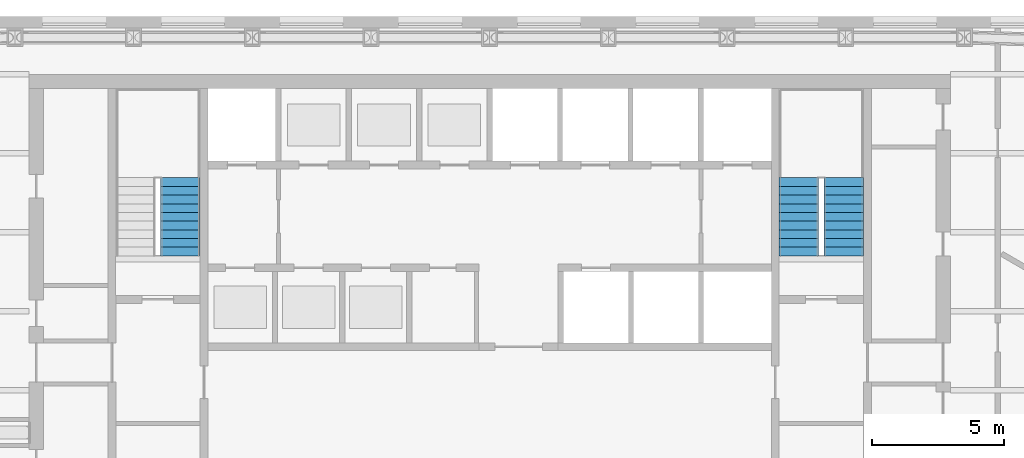
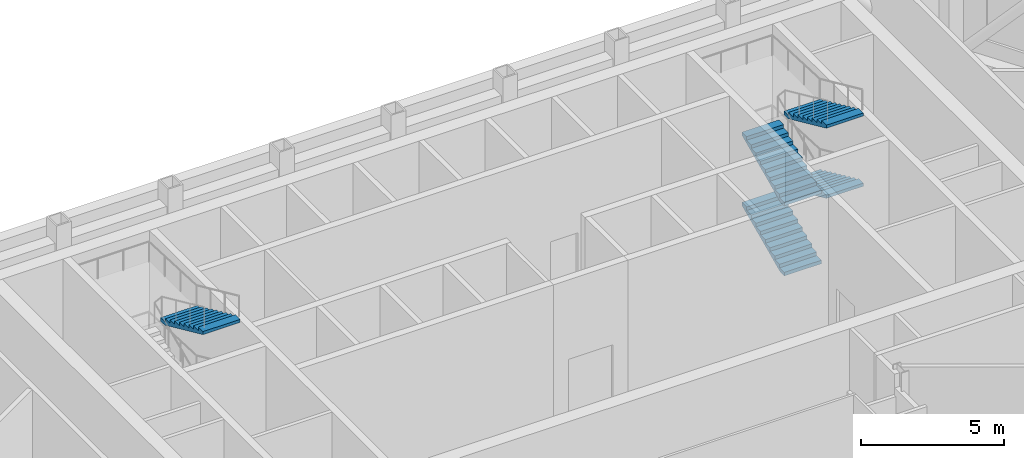
# One storey, part 13 of 15: 5 stair flights, 2 elements without a shape of their own.
"""IFC4 building model written with IfcOpenShell, lengths in metres."""

from ifc_helpers import new_model, si_unit, direction, frame, origin, place, context, subcontext, project, spatial, polygons, material, type_object, element, aggregate, save


model = new_model("IFC4")

# Units and contexts
model_context = context("Model", 3, precision=1e-05, world=origin(), true_north=direction((0.0, 1.0)))
body_context = subcontext(model_context, "Body", "Model", "MODEL_VIEW")
ifc_project = project(units=[si_unit("LENGTHUNIT", "METRE"), si_unit("AREAUNIT", "SQUARE_METRE"), si_unit("VOLUMEUNIT", "CUBIC_METRE"), si_unit("PLANEANGLEUNIT", "RADIAN"), si_unit("MASSUNIT", "GRAM", prefix="KILO")], contexts=[model_context])

# Site, building, storey
site_placement = place(None, origin())
site = spatial("IfcSite", under=ifc_project, at=site_placement, CompositionType="ELEMENT")
building_placement = place(site_placement, origin())
building = spatial("IfcBuilding", under=site, at=building_placement, Name="Njiva Tower", CompositionType="ELEMENT")
storey_placement = place(building_placement, frame((0.0, 0.0, 133.8)))
storey = spatial("IfcBuildingStorey", under=building, at=storey_placement, Name="L28", CompositionType="ELEMENT", Elevation=133.8)

# Stair, stair flight
ifc_material = material(Name="Concrete C40/50", Category="concrete")
stair_type = type_object("IfcStairType", Name="ST4 Exit stair 1500", PredefinedType="HALF_TURN_STAIR", material=ifc_material)
stair_1_placement = place(storey_placement, origin())
stair_1 = element("IfcStair", 1, at=stair_1_placement, inside=storey, type_object=stair_type, Name="Stair A", PredefinedType="DOUBLE_RETURN_STAIR")
stair_flight_type = type_object("IfcStairFlightType", Name="FL4 Stair flight 1500", PredefinedType="STRAIGHT", material=ifc_material)
stair_flight_1_placement = place(storey_placement, frame((-11.75, 14.07, 4.5), z_axis=(0.0, 0.0, 1.0), x_axis=(0.0, -1.0, 0.0)))
stair_flight_1 = element("IfcStairFlight", 2, at=stair_flight_1_placement, type_object=stair_flight_type, Name="ST-A flight 4", NumberOfRisers=10, NumberOfTreads=9, PredefinedType="STRAIGHT", RiserHeight=0.15, TreadLength=0.33, context=body_context, shape_type="Tessellation", body=[
    polygons([(0.0, 0.75, 0.0), (0.0, 0.375, 0.0), (0.0, 0.0, 0.0), (0.0, -0.375, 0.0), (0.0, -0.75, 0.0), (0.0, 0.75, 0.15), (0.0, 0.375, 0.15), (0.0, 0.0, 0.15), (0.0, -0.375, 0.15), (0.0, -0.75, 0.15), (0.33, 0.75, 0.15), (0.33, 0.375, 0.15), (0.33, 0.0, 0.15), (0.33, -0.375, 0.15), (0.33, -0.75, 0.15), (0.33, 0.75, 0.3), (0.33, 0.375, 0.3), (0.33, 0.0, 0.3), (0.33, -0.375, 0.3), (0.33, -0.75, 0.3), (0.66, 0.75, 0.3), (0.66, 0.375, 0.3), (0.66, 0.0, 0.3), (0.66, -0.375, 0.3), (0.66, -0.75, 0.3), (0.66, 0.75, 0.45), (0.66, 0.375, 0.45), (0.66, 0.0, 0.45), (0.66, -0.375, 0.45), (0.66, -0.75, 0.45), (0.99, 0.75, 0.45), (0.99, 0.375, 0.45), (0.99, 0.0, 0.45), (0.99, -0.375, 0.45), (0.99, -0.75, 0.45), (0.99, 0.75, 0.6), (0.99, 0.375, 0.6), (0.99, 0.0, 0.6), (0.99, -0.375, 0.6), (0.99, -0.75, 0.6), (1.32, 0.75, 0.6), (1.32, 0.375, 0.6), (1.32, 0.0, 0.6), (1.32, -0.375, 0.6), (1.32, -0.75, 0.6), (1.32, 0.75, 0.75), (1.32, 0.375, 0.75), (1.32, 0.0, 0.75), (1.32, -0.375, 0.75), (1.32, -0.75, 0.75), (1.65, 0.75, 0.75), (1.65, 0.375, 0.75), (1.65, 0.0, 0.75), (1.65, -0.375, 0.75), (1.65, -0.75, 0.75), (1.65, 0.75, 0.9), (1.65, 0.375, 0.9), (1.65, 0.0, 0.9), (1.65, -0.375, 0.9), (1.65, -0.75, 0.9), (1.98, 0.75, 0.9), (1.98, 0.375, 0.9), (1.98, 0.0, 0.9), (1.98, -0.375, 0.9), (1.98, -0.75, 0.9), (1.98, 0.75, 1.05), (1.98, 0.375, 1.05), (1.98, 0.0, 1.05), (1.98, -0.375, 1.05), (1.98, -0.75, 1.05), (2.31, 0.75, 1.05), (2.31, 0.375, 1.05), (2.31, 0.0, 1.05), (2.31, -0.375, 1.05), (2.31, -0.75, 1.05), (2.31, 0.75, 1.2), (2.31, 0.375, 1.2), (2.31, 0.0, 1.2), (2.31, -0.375, 1.2), (2.31, -0.75, 1.2), (2.64, 0.75, 1.2), (2.64, 0.375, 1.2), (2.64, 0.0, 1.2), (2.64, -0.375, 1.2), (2.64, -0.75, 1.2), (2.64, 0.75, 1.35), (2.64, 0.375, 1.35), (2.64, 0.0, 1.35), (2.64, -0.375, 1.35), (2.64, -0.75, 1.35), (2.97, 0.75, 1.35), (2.97, 0.375, 1.35), (2.97, 0.0, 1.35), (2.97, -0.375, 1.35), (2.97, -0.75, 1.35), (2.97, 0.75, 1.2182), (2.97, 0.375, 1.2182), (2.97, 0.0, 1.2182), (2.97, -0.375, 1.2182), (2.97, -0.75, 1.2182), (0.29, 0.75, 0.0), (0.29, 0.375, 0.0), (0.29, 0.0, 0.0), (0.29, -0.375, 0.0), (0.29, -0.75, 0.0)], [[[1, 6, 11, 16, 21, 26, 31, 36, 41, 46, 51, 56, 61, 66, 71, 76, 81, 86, 91, 96, 101]], [[105, 100, 95, 90, 85, 80, 75, 70, 65, 60, 55, 50, 45, 40, 35, 30, 25, 20, 15, 10, 5]], [[6, 1, 2, 7]], [[7, 2, 3, 8]], [[8, 3, 4, 9]], [[9, 4, 5, 10]], [[11, 6, 7, 12]], [[12, 7, 8, 13]], [[13, 8, 9, 14]], [[14, 9, 10, 15]], [[16, 11, 12, 17]], [[17, 12, 13, 18]], [[18, 13, 14, 19]], [[19, 14, 15, 20]], [[21, 16, 17, 22]], [[22, 17, 18, 23]], [[23, 18, 19, 24]], [[24, 19, 20, 25]], [[26, 21, 22, 27]], [[27, 22, 23, 28]], [[28, 23, 24, 29]], [[29, 24, 25, 30]], [[31, 26, 27, 32]], [[32, 27, 28, 33]], [[33, 28, 29, 34]], [[34, 29, 30, 35]], [[36, 31, 32, 37]], [[37, 32, 33, 38]], [[38, 33, 34, 39]], [[39, 34, 35, 40]], [[41, 36, 37, 42]], [[42, 37, 38, 43]], [[43, 38, 39, 44]], [[44, 39, 40, 45]], [[46, 41, 42, 47]], [[47, 42, 43, 48]], [[48, 43, 44, 49]], [[49, 44, 45, 50]], [[51, 46, 47, 52]], [[52, 47, 48, 53]], [[53, 48, 49, 54]], [[54, 49, 50, 55]], [[56, 51, 52, 57]], [[57, 52, 53, 58]], [[58, 53, 54, 59]], [[59, 54, 55, 60]], [[61, 56, 57, 62]], [[62, 57, 58, 63]], [[63, 58, 59, 64]], [[64, 59, 60, 65]], [[66, 61, 62, 67]], [[67, 62, 63, 68]], [[68, 63, 64, 69]], [[69, 64, 65, 70]], [[71, 66, 67, 72]], [[72, 67, 68, 73]], [[73, 68, 69, 74]], [[74, 69, 70, 75]], [[76, 71, 72, 77]], [[77, 72, 73, 78]], [[78, 73, 74, 79]], [[79, 74, 75, 80]], [[81, 76, 77, 82]], [[82, 77, 78, 83]], [[83, 78, 79, 84]], [[84, 79, 80, 85]], [[86, 81, 82, 87]], [[87, 82, 83, 88]], [[88, 83, 84, 89]], [[89, 84, 85, 90]], [[91, 86, 87, 92]], [[92, 87, 88, 93]], [[93, 88, 89, 94]], [[94, 89, 90, 95]], [[96, 91, 92, 97]], [[97, 92, 93, 98]], [[98, 93, 94, 99]], [[99, 94, 95, 100]], [[101, 96, 97, 102]], [[102, 97, 98, 103]], [[103, 98, 99, 104]], [[104, 99, 100, 105]], [[1, 101, 102, 2]], [[2, 102, 103, 3]], [[3, 103, 104, 4]], [[4, 104, 105, 5]]], closed=True),
])
aggregate(stair_1, [stair_flight_1])

# Stair, stair flights
stair_2_placement = place(storey_placement, origin())
stair_2 = element("IfcStair", 3, at=stair_2_placement, inside=storey, type_object=stair_type, Name="Stair B", PredefinedType="DOUBLE_RETURN_STAIR")
stair_flight_2_placement = place(storey_placement, frame((11.75, 11.1, 0.0), z_axis=(0.0, 0.0, 1.0), x_axis=(0.0, 1.0, 0.0)))
stair_flight_2 = element("IfcStairFlight", 4, at=stair_flight_2_placement, type_object=stair_flight_type, Name="ST-B flight 1", NumberOfRisers=10, NumberOfTreads=9, PredefinedType="STRAIGHT", RiserHeight=0.15, TreadLength=0.33, context=body_context, shape_type="Tessellation", body=[
    polygons([(0.0, 0.75, 0.0), (0.0, 0.375, 0.0), (0.0, 0.0, 0.0), (0.0, -0.375, 0.0), (0.0, -0.75, 0.0), (0.0, 0.75, 0.15), (0.0, 0.375, 0.15), (0.0, 0.0, 0.15), (0.0, -0.375, 0.15), (0.0, -0.75, 0.15), (0.33, 0.75, 0.15), (0.33, 0.375, 0.15), (0.33, 0.0, 0.15), (0.33, -0.375, 0.15), (0.33, -0.75, 0.15), (0.33, 0.75, 0.3), (0.33, 0.375, 0.3), (0.33, 0.0, 0.3), (0.33, -0.375, 0.3), (0.33, -0.75, 0.3), (0.66, 0.75, 0.3), (0.66, 0.375, 0.3), (0.66, 0.0, 0.3), (0.66, -0.375, 0.3), (0.66, -0.75, 0.3), (0.66, 0.75, 0.45), (0.66, 0.375, 0.45), (0.66, 0.0, 0.45), (0.66, -0.375, 0.45), (0.66, -0.75, 0.45), (0.99, 0.75, 0.45), (0.99, 0.375, 0.45), (0.99, 0.0, 0.45), (0.99, -0.375, 0.45), (0.99, -0.75, 0.45), (0.99, 0.75, 0.6), (0.99, 0.375, 0.6), (0.99, 0.0, 0.6), (0.99, -0.375, 0.6), (0.99, -0.75, 0.6), (1.32, 0.75, 0.6), (1.32, 0.375, 0.6), (1.32, 0.0, 0.6), (1.32, -0.375, 0.6), (1.32, -0.75, 0.6), (1.32, 0.75, 0.75), (1.32, 0.375, 0.75), (1.32, 0.0, 0.75), (1.32, -0.375, 0.75), (1.32, -0.75, 0.75), (1.65, 0.75, 0.75), (1.65, 0.375, 0.75), (1.65, 0.0, 0.75), (1.65, -0.375, 0.75), (1.65, -0.75, 0.75), (1.65, 0.75, 0.9), (1.65, 0.375, 0.9), (1.65, 0.0, 0.9), (1.65, -0.375, 0.9), (1.65, -0.75, 0.9), (1.98, 0.75, 0.9), (1.98, 0.375, 0.9), (1.98, 0.0, 0.9), (1.98, -0.375, 0.9), (1.98, -0.75, 0.9), (1.98, 0.75, 1.05), (1.98, 0.375, 1.05), (1.98, 0.0, 1.05), (1.98, -0.375, 1.05), (1.98, -0.75, 1.05), (2.31, 0.75, 1.05), (2.31, 0.375, 1.05), (2.31, 0.0, 1.05), (2.31, -0.375, 1.05), (2.31, -0.75, 1.05), (2.31, 0.75, 1.2), (2.31, 0.375, 1.2), (2.31, 0.0, 1.2), (2.31, -0.375, 1.2), (2.31, -0.75, 1.2), (2.64, 0.75, 1.2), (2.64, 0.375, 1.2), (2.64, 0.0, 1.2), (2.64, -0.375, 1.2), (2.64, -0.75, 1.2), (2.64, 0.75, 1.35), (2.64, 0.375, 1.35), (2.64, 0.0, 1.35), (2.64, -0.375, 1.35), (2.64, -0.75, 1.35), (2.97, 0.75, 1.35), (2.97, 0.375, 1.35), (2.97, 0.0, 1.35), (2.97, -0.375, 1.35), (2.97, -0.75, 1.35), (2.97, 0.75, 1.2182), (2.97, 0.375, 1.2182), (2.97, 0.0, 1.2182), (2.97, -0.375, 1.2182), (2.97, -0.75, 1.2182), (0.29, 0.75, 0.0), (0.29, 0.375, 0.0), (0.29, 0.0, 0.0), (0.29, -0.375, 0.0), (0.29, -0.75, 0.0)], [[[1, 6, 11, 16, 21, 26, 31, 36, 41, 46, 51, 56, 61, 66, 71, 76, 81, 86, 91, 96, 101]], [[105, 100, 95, 90, 85, 80, 75, 70, 65, 60, 55, 50, 45, 40, 35, 30, 25, 20, 15, 10, 5]], [[6, 1, 2, 7]], [[7, 2, 3, 8]], [[8, 3, 4, 9]], [[9, 4, 5, 10]], [[11, 6, 7, 12]], [[12, 7, 8, 13]], [[13, 8, 9, 14]], [[14, 9, 10, 15]], [[16, 11, 12, 17]], [[17, 12, 13, 18]], [[18, 13, 14, 19]], [[19, 14, 15, 20]], [[21, 16, 17, 22]], [[22, 17, 18, 23]], [[23, 18, 19, 24]], [[24, 19, 20, 25]], [[26, 21, 22, 27]], [[27, 22, 23, 28]], [[28, 23, 24, 29]], [[29, 24, 25, 30]], [[31, 26, 27, 32]], [[32, 27, 28, 33]], [[33, 28, 29, 34]], [[34, 29, 30, 35]], [[36, 31, 32, 37]], [[37, 32, 33, 38]], [[38, 33, 34, 39]], [[39, 34, 35, 40]], [[41, 36, 37, 42]], [[42, 37, 38, 43]], [[43, 38, 39, 44]], [[44, 39, 40, 45]], [[46, 41, 42, 47]], [[47, 42, 43, 48]], [[48, 43, 44, 49]], [[49, 44, 45, 50]], [[51, 46, 47, 52]], [[52, 47, 48, 53]], [[53, 48, 49, 54]], [[54, 49, 50, 55]], [[56, 51, 52, 57]], [[57, 52, 53, 58]], [[58, 53, 54, 59]], [[59, 54, 55, 60]], [[61, 56, 57, 62]], [[62, 57, 58, 63]], [[63, 58, 59, 64]], [[64, 59, 60, 65]], [[66, 61, 62, 67]], [[67, 62, 63, 68]], [[68, 63, 64, 69]], [[69, 64, 65, 70]], [[71, 66, 67, 72]], [[72, 67, 68, 73]], [[73, 68, 69, 74]], [[74, 69, 70, 75]], [[76, 71, 72, 77]], [[77, 72, 73, 78]], [[78, 73, 74, 79]], [[79, 74, 75, 80]], [[81, 76, 77, 82]], [[82, 77, 78, 83]], [[83, 78, 79, 84]], [[84, 79, 80, 85]], [[86, 81, 82, 87]], [[87, 82, 83, 88]], [[88, 83, 84, 89]], [[89, 84, 85, 90]], [[91, 86, 87, 92]], [[92, 87, 88, 93]], [[93, 88, 89, 94]], [[94, 89, 90, 95]], [[96, 91, 92, 97]], [[97, 92, 93, 98]], [[98, 93, 94, 99]], [[99, 94, 95, 100]], [[101, 96, 97, 102]], [[102, 97, 98, 103]], [[103, 98, 99, 104]], [[104, 99, 100, 105]], [[1, 101, 102, 2]], [[2, 102, 103, 3]], [[3, 103, 104, 4]], [[4, 104, 105, 5]]], closed=True),
])
stair_flight_3_placement = place(storey_placement, frame((13.45, 14.07, 1.5), z_axis=(0.0, 0.0, 1.0), x_axis=(0.0, -1.0, 0.0)))
stair_flight_3 = element("IfcStairFlight", 5, at=stair_flight_3_placement, type_object=stair_flight_type, Name="ST-B flight 2", NumberOfRisers=10, NumberOfTreads=9, PredefinedType="STRAIGHT", RiserHeight=0.15, TreadLength=0.33, context=body_context, shape_type="Tessellation", body=[
    polygons([(0.0, 0.75, 0.0), (0.0, 0.375, 0.0), (0.0, 0.0, 0.0), (0.0, -0.375, 0.0), (0.0, -0.75, 0.0), (0.0, 0.75, 0.15), (0.0, 0.375, 0.15), (0.0, 0.0, 0.15), (0.0, -0.375, 0.15), (0.0, -0.75, 0.15), (0.33, 0.75, 0.15), (0.33, 0.375, 0.15), (0.33, 0.0, 0.15), (0.33, -0.375, 0.15), (0.33, -0.75, 0.15), (0.33, 0.75, 0.3), (0.33, 0.375, 0.3), (0.33, 0.0, 0.3), (0.33, -0.375, 0.3), (0.33, -0.75, 0.3), (0.66, 0.75, 0.3), (0.66, 0.375, 0.3), (0.66, 0.0, 0.3), (0.66, -0.375, 0.3), (0.66, -0.75, 0.3), (0.66, 0.75, 0.45), (0.66, 0.375, 0.45), (0.66, 0.0, 0.45), (0.66, -0.375, 0.45), (0.66, -0.75, 0.45), (0.99, 0.75, 0.45), (0.99, 0.375, 0.45), (0.99, 0.0, 0.45), (0.99, -0.375, 0.45), (0.99, -0.75, 0.45), (0.99, 0.75, 0.6), (0.99, 0.375, 0.6), (0.99, 0.0, 0.6), (0.99, -0.375, 0.6), (0.99, -0.75, 0.6), (1.32, 0.75, 0.6), (1.32, 0.375, 0.6), (1.32, 0.0, 0.6), (1.32, -0.375, 0.6), (1.32, -0.75, 0.6), (1.32, 0.75, 0.75), (1.32, 0.375, 0.75), (1.32, 0.0, 0.75), (1.32, -0.375, 0.75), (1.32, -0.75, 0.75), (1.65, 0.75, 0.75), (1.65, 0.375, 0.75), (1.65, 0.0, 0.75), (1.65, -0.375, 0.75), (1.65, -0.75, 0.75), (1.65, 0.75, 0.9), (1.65, 0.375, 0.9), (1.65, 0.0, 0.9), (1.65, -0.375, 0.9), (1.65, -0.75, 0.9), (1.98, 0.75, 0.9), (1.98, 0.375, 0.9), (1.98, 0.0, 0.9), (1.98, -0.375, 0.9), (1.98, -0.75, 0.9), (1.98, 0.75, 1.05), (1.98, 0.375, 1.05), (1.98, 0.0, 1.05), (1.98, -0.375, 1.05), (1.98, -0.75, 1.05), (2.31, 0.75, 1.05), (2.31, 0.375, 1.05), (2.31, 0.0, 1.05), (2.31, -0.375, 1.05), (2.31, -0.75, 1.05), (2.31, 0.75, 1.2), (2.31, 0.375, 1.2), (2.31, 0.0, 1.2), (2.31, -0.375, 1.2), (2.31, -0.75, 1.2), (2.64, 0.75, 1.2), (2.64, 0.375, 1.2), (2.64, 0.0, 1.2), (2.64, -0.375, 1.2), (2.64, -0.75, 1.2), (2.64, 0.75, 1.35), (2.64, 0.375, 1.35), (2.64, 0.0, 1.35), (2.64, -0.375, 1.35), (2.64, -0.75, 1.35), (2.97, 0.75, 1.35), (2.97, 0.375, 1.35), (2.97, 0.0, 1.35), (2.97, -0.375, 1.35), (2.97, -0.75, 1.35), (2.97, 0.75, 1.2182), (2.97, 0.375, 1.2182), (2.97, 0.0, 1.2182), (2.97, -0.375, 1.2182), (2.97, -0.75, 1.2182), (0.29, 0.75, 0.0), (0.29, 0.375, 0.0), (0.29, 0.0, 0.0), (0.29, -0.375, 0.0), (0.29, -0.75, 0.0)], [[[1, 6, 11, 16, 21, 26, 31, 36, 41, 46, 51, 56, 61, 66, 71, 76, 81, 86, 91, 96, 101]], [[105, 100, 95, 90, 85, 80, 75, 70, 65, 60, 55, 50, 45, 40, 35, 30, 25, 20, 15, 10, 5]], [[6, 1, 2, 7]], [[7, 2, 3, 8]], [[8, 3, 4, 9]], [[9, 4, 5, 10]], [[11, 6, 7, 12]], [[12, 7, 8, 13]], [[13, 8, 9, 14]], [[14, 9, 10, 15]], [[16, 11, 12, 17]], [[17, 12, 13, 18]], [[18, 13, 14, 19]], [[19, 14, 15, 20]], [[21, 16, 17, 22]], [[22, 17, 18, 23]], [[23, 18, 19, 24]], [[24, 19, 20, 25]], [[26, 21, 22, 27]], [[27, 22, 23, 28]], [[28, 23, 24, 29]], [[29, 24, 25, 30]], [[31, 26, 27, 32]], [[32, 27, 28, 33]], [[33, 28, 29, 34]], [[34, 29, 30, 35]], [[36, 31, 32, 37]], [[37, 32, 33, 38]], [[38, 33, 34, 39]], [[39, 34, 35, 40]], [[41, 36, 37, 42]], [[42, 37, 38, 43]], [[43, 38, 39, 44]], [[44, 39, 40, 45]], [[46, 41, 42, 47]], [[47, 42, 43, 48]], [[48, 43, 44, 49]], [[49, 44, 45, 50]], [[51, 46, 47, 52]], [[52, 47, 48, 53]], [[53, 48, 49, 54]], [[54, 49, 50, 55]], [[56, 51, 52, 57]], [[57, 52, 53, 58]], [[58, 53, 54, 59]], [[59, 54, 55, 60]], [[61, 56, 57, 62]], [[62, 57, 58, 63]], [[63, 58, 59, 64]], [[64, 59, 60, 65]], [[66, 61, 62, 67]], [[67, 62, 63, 68]], [[68, 63, 64, 69]], [[69, 64, 65, 70]], [[71, 66, 67, 72]], [[72, 67, 68, 73]], [[73, 68, 69, 74]], [[74, 69, 70, 75]], [[76, 71, 72, 77]], [[77, 72, 73, 78]], [[78, 73, 74, 79]], [[79, 74, 75, 80]], [[81, 76, 77, 82]], [[82, 77, 78, 83]], [[83, 78, 79, 84]], [[84, 79, 80, 85]], [[86, 81, 82, 87]], [[87, 82, 83, 88]], [[88, 83, 84, 89]], [[89, 84, 85, 90]], [[91, 86, 87, 92]], [[92, 87, 88, 93]], [[93, 88, 89, 94]], [[94, 89, 90, 95]], [[96, 91, 92, 97]], [[97, 92, 93, 98]], [[98, 93, 94, 99]], [[99, 94, 95, 100]], [[101, 96, 97, 102]], [[102, 97, 98, 103]], [[103, 98, 99, 104]], [[104, 99, 100, 105]], [[1, 101, 102, 2]], [[2, 102, 103, 3]], [[3, 103, 104, 4]], [[4, 104, 105, 5]]], closed=True),
])
stair_flight_4_placement = place(storey_placement, frame((11.75, 11.1, 3.0), z_axis=(0.0, 0.0, 1.0), x_axis=(0.0, 1.0, 0.0)))
stair_flight_4 = element("IfcStairFlight", 6, at=stair_flight_4_placement, type_object=stair_flight_type, Name="ST-B flight 3", NumberOfRisers=10, NumberOfTreads=9, PredefinedType="STRAIGHT", RiserHeight=0.15, TreadLength=0.33, context=body_context, shape_type="Tessellation", body=[
    polygons([(0.0, 0.75, 0.0), (0.0, 0.375, 0.0), (0.0, 0.0, 0.0), (0.0, -0.375, 0.0), (0.0, -0.75, 0.0), (0.0, 0.75, 0.15), (0.0, 0.375, 0.15), (0.0, 0.0, 0.15), (0.0, -0.375, 0.15), (0.0, -0.75, 0.15), (0.33, 0.75, 0.15), (0.33, 0.375, 0.15), (0.33, 0.0, 0.15), (0.33, -0.375, 0.15), (0.33, -0.75, 0.15), (0.33, 0.75, 0.3), (0.33, 0.375, 0.3), (0.33, 0.0, 0.3), (0.33, -0.375, 0.3), (0.33, -0.75, 0.3), (0.66, 0.75, 0.3), (0.66, 0.375, 0.3), (0.66, 0.0, 0.3), (0.66, -0.375, 0.3), (0.66, -0.75, 0.3), (0.66, 0.75, 0.45), (0.66, 0.375, 0.45), (0.66, 0.0, 0.45), (0.66, -0.375, 0.45), (0.66, -0.75, 0.45), (0.99, 0.75, 0.45), (0.99, 0.375, 0.45), (0.99, 0.0, 0.45), (0.99, -0.375, 0.45), (0.99, -0.75, 0.45), (0.99, 0.75, 0.6), (0.99, 0.375, 0.6), (0.99, 0.0, 0.6), (0.99, -0.375, 0.6), (0.99, -0.75, 0.6), (1.32, 0.75, 0.6), (1.32, 0.375, 0.6), (1.32, 0.0, 0.6), (1.32, -0.375, 0.6), (1.32, -0.75, 0.6), (1.32, 0.75, 0.75), (1.32, 0.375, 0.75), (1.32, 0.0, 0.75), (1.32, -0.375, 0.75), (1.32, -0.75, 0.75), (1.65, 0.75, 0.75), (1.65, 0.375, 0.75), (1.65, 0.0, 0.75), (1.65, -0.375, 0.75), (1.65, -0.75, 0.75), (1.65, 0.75, 0.9), (1.65, 0.375, 0.9), (1.65, 0.0, 0.9), (1.65, -0.375, 0.9), (1.65, -0.75, 0.9), (1.98, 0.75, 0.9), (1.98, 0.375, 0.9), (1.98, 0.0, 0.9), (1.98, -0.375, 0.9), (1.98, -0.75, 0.9), (1.98, 0.75, 1.05), (1.98, 0.375, 1.05), (1.98, 0.0, 1.05), (1.98, -0.375, 1.05), (1.98, -0.75, 1.05), (2.31, 0.75, 1.05), (2.31, 0.375, 1.05), (2.31, 0.0, 1.05), (2.31, -0.375, 1.05), (2.31, -0.75, 1.05), (2.31, 0.75, 1.2), (2.31, 0.375, 1.2), (2.31, 0.0, 1.2), (2.31, -0.375, 1.2), (2.31, -0.75, 1.2), (2.64, 0.75, 1.2), (2.64, 0.375, 1.2), (2.64, 0.0, 1.2), (2.64, -0.375, 1.2), (2.64, -0.75, 1.2), (2.64, 0.75, 1.35), (2.64, 0.375, 1.35), (2.64, 0.0, 1.35), (2.64, -0.375, 1.35), (2.64, -0.75, 1.35), (2.97, 0.75, 1.35), (2.97, 0.375, 1.35), (2.97, 0.0, 1.35), (2.97, -0.375, 1.35), (2.97, -0.75, 1.35), (2.97, 0.75, 1.2182), (2.97, 0.375, 1.2182), (2.97, 0.0, 1.2182), (2.97, -0.375, 1.2182), (2.97, -0.75, 1.2182), (0.29, 0.75, 0.0), (0.29, 0.375, 0.0), (0.29, 0.0, 0.0), (0.29, -0.375, 0.0), (0.29, -0.75, 0.0)], [[[1, 6, 11, 16, 21, 26, 31, 36, 41, 46, 51, 56, 61, 66, 71, 76, 81, 86, 91, 96, 101]], [[105, 100, 95, 90, 85, 80, 75, 70, 65, 60, 55, 50, 45, 40, 35, 30, 25, 20, 15, 10, 5]], [[6, 1, 2, 7]], [[7, 2, 3, 8]], [[8, 3, 4, 9]], [[9, 4, 5, 10]], [[11, 6, 7, 12]], [[12, 7, 8, 13]], [[13, 8, 9, 14]], [[14, 9, 10, 15]], [[16, 11, 12, 17]], [[17, 12, 13, 18]], [[18, 13, 14, 19]], [[19, 14, 15, 20]], [[21, 16, 17, 22]], [[22, 17, 18, 23]], [[23, 18, 19, 24]], [[24, 19, 20, 25]], [[26, 21, 22, 27]], [[27, 22, 23, 28]], [[28, 23, 24, 29]], [[29, 24, 25, 30]], [[31, 26, 27, 32]], [[32, 27, 28, 33]], [[33, 28, 29, 34]], [[34, 29, 30, 35]], [[36, 31, 32, 37]], [[37, 32, 33, 38]], [[38, 33, 34, 39]], [[39, 34, 35, 40]], [[41, 36, 37, 42]], [[42, 37, 38, 43]], [[43, 38, 39, 44]], [[44, 39, 40, 45]], [[46, 41, 42, 47]], [[47, 42, 43, 48]], [[48, 43, 44, 49]], [[49, 44, 45, 50]], [[51, 46, 47, 52]], [[52, 47, 48, 53]], [[53, 48, 49, 54]], [[54, 49, 50, 55]], [[56, 51, 52, 57]], [[57, 52, 53, 58]], [[58, 53, 54, 59]], [[59, 54, 55, 60]], [[61, 56, 57, 62]], [[62, 57, 58, 63]], [[63, 58, 59, 64]], [[64, 59, 60, 65]], [[66, 61, 62, 67]], [[67, 62, 63, 68]], [[68, 63, 64, 69]], [[69, 64, 65, 70]], [[71, 66, 67, 72]], [[72, 67, 68, 73]], [[73, 68, 69, 74]], [[74, 69, 70, 75]], [[76, 71, 72, 77]], [[77, 72, 73, 78]], [[78, 73, 74, 79]], [[79, 74, 75, 80]], [[81, 76, 77, 82]], [[82, 77, 78, 83]], [[83, 78, 79, 84]], [[84, 79, 80, 85]], [[86, 81, 82, 87]], [[87, 82, 83, 88]], [[88, 83, 84, 89]], [[89, 84, 85, 90]], [[91, 86, 87, 92]], [[92, 87, 88, 93]], [[93, 88, 89, 94]], [[94, 89, 90, 95]], [[96, 91, 92, 97]], [[97, 92, 93, 98]], [[98, 93, 94, 99]], [[99, 94, 95, 100]], [[101, 96, 97, 102]], [[102, 97, 98, 103]], [[103, 98, 99, 104]], [[104, 99, 100, 105]], [[1, 101, 102, 2]], [[2, 102, 103, 3]], [[3, 103, 104, 4]], [[4, 104, 105, 5]]], closed=True),
])
stair_flight_5_placement = place(storey_placement, frame((13.45, 14.07, 4.5), z_axis=(0.0, 0.0, 1.0), x_axis=(0.0, -1.0, 0.0)))
stair_flight_5 = element("IfcStairFlight", 7, at=stair_flight_5_placement, type_object=stair_flight_type, Name="ST-B flight 4", NumberOfRisers=10, NumberOfTreads=9, PredefinedType="STRAIGHT", RiserHeight=0.15, TreadLength=0.33, context=body_context, shape_type="Tessellation", body=[
    polygons([(0.0, 0.75, 0.0), (0.0, 0.375, 0.0), (0.0, 0.0, 0.0), (0.0, -0.375, 0.0), (0.0, -0.75, 0.0), (0.0, 0.75, 0.15), (0.0, 0.375, 0.15), (0.0, 0.0, 0.15), (0.0, -0.375, 0.15), (0.0, -0.75, 0.15), (0.33, 0.75, 0.15), (0.33, 0.375, 0.15), (0.33, 0.0, 0.15), (0.33, -0.375, 0.15), (0.33, -0.75, 0.15), (0.33, 0.75, 0.3), (0.33, 0.375, 0.3), (0.33, 0.0, 0.3), (0.33, -0.375, 0.3), (0.33, -0.75, 0.3), (0.66, 0.75, 0.3), (0.66, 0.375, 0.3), (0.66, 0.0, 0.3), (0.66, -0.375, 0.3), (0.66, -0.75, 0.3), (0.66, 0.75, 0.45), (0.66, 0.375, 0.45), (0.66, 0.0, 0.45), (0.66, -0.375, 0.45), (0.66, -0.75, 0.45), (0.99, 0.75, 0.45), (0.99, 0.375, 0.45), (0.99, 0.0, 0.45), (0.99, -0.375, 0.45), (0.99, -0.75, 0.45), (0.99, 0.75, 0.6), (0.99, 0.375, 0.6), (0.99, 0.0, 0.6), (0.99, -0.375, 0.6), (0.99, -0.75, 0.6), (1.32, 0.75, 0.6), (1.32, 0.375, 0.6), (1.32, 0.0, 0.6), (1.32, -0.375, 0.6), (1.32, -0.75, 0.6), (1.32, 0.75, 0.75), (1.32, 0.375, 0.75), (1.32, 0.0, 0.75), (1.32, -0.375, 0.75), (1.32, -0.75, 0.75), (1.65, 0.75, 0.75), (1.65, 0.375, 0.75), (1.65, 0.0, 0.75), (1.65, -0.375, 0.75), (1.65, -0.75, 0.75), (1.65, 0.75, 0.9), (1.65, 0.375, 0.9), (1.65, 0.0, 0.9), (1.65, -0.375, 0.9), (1.65, -0.75, 0.9), (1.98, 0.75, 0.9), (1.98, 0.375, 0.9), (1.98, 0.0, 0.9), (1.98, -0.375, 0.9), (1.98, -0.75, 0.9), (1.98, 0.75, 1.05), (1.98, 0.375, 1.05), (1.98, 0.0, 1.05), (1.98, -0.375, 1.05), (1.98, -0.75, 1.05), (2.31, 0.75, 1.05), (2.31, 0.375, 1.05), (2.31, 0.0, 1.05), (2.31, -0.375, 1.05), (2.31, -0.75, 1.05), (2.31, 0.75, 1.2), (2.31, 0.375, 1.2), (2.31, 0.0, 1.2), (2.31, -0.375, 1.2), (2.31, -0.75, 1.2), (2.64, 0.75, 1.2), (2.64, 0.375, 1.2), (2.64, 0.0, 1.2), (2.64, -0.375, 1.2), (2.64, -0.75, 1.2), (2.64, 0.75, 1.35), (2.64, 0.375, 1.35), (2.64, 0.0, 1.35), (2.64, -0.375, 1.35), (2.64, -0.75, 1.35), (2.97, 0.75, 1.35), (2.97, 0.375, 1.35), (2.97, 0.0, 1.35), (2.97, -0.375, 1.35), (2.97, -0.75, 1.35), (2.97, 0.75, 1.2182), (2.97, 0.375, 1.2182), (2.97, 0.0, 1.2182), (2.97, -0.375, 1.2182), (2.97, -0.75, 1.2182), (0.29, 0.75, 0.0), (0.29, 0.375, 0.0), (0.29, 0.0, 0.0), (0.29, -0.375, 0.0), (0.29, -0.75, 0.0)], [[[1, 6, 11, 16, 21, 26, 31, 36, 41, 46, 51, 56, 61, 66, 71, 76, 81, 86, 91, 96, 101]], [[105, 100, 95, 90, 85, 80, 75, 70, 65, 60, 55, 50, 45, 40, 35, 30, 25, 20, 15, 10, 5]], [[6, 1, 2, 7]], [[7, 2, 3, 8]], [[8, 3, 4, 9]], [[9, 4, 5, 10]], [[11, 6, 7, 12]], [[12, 7, 8, 13]], [[13, 8, 9, 14]], [[14, 9, 10, 15]], [[16, 11, 12, 17]], [[17, 12, 13, 18]], [[18, 13, 14, 19]], [[19, 14, 15, 20]], [[21, 16, 17, 22]], [[22, 17, 18, 23]], [[23, 18, 19, 24]], [[24, 19, 20, 25]], [[26, 21, 22, 27]], [[27, 22, 23, 28]], [[28, 23, 24, 29]], [[29, 24, 25, 30]], [[31, 26, 27, 32]], [[32, 27, 28, 33]], [[33, 28, 29, 34]], [[34, 29, 30, 35]], [[36, 31, 32, 37]], [[37, 32, 33, 38]], [[38, 33, 34, 39]], [[39, 34, 35, 40]], [[41, 36, 37, 42]], [[42, 37, 38, 43]], [[43, 38, 39, 44]], [[44, 39, 40, 45]], [[46, 41, 42, 47]], [[47, 42, 43, 48]], [[48, 43, 44, 49]], [[49, 44, 45, 50]], [[51, 46, 47, 52]], [[52, 47, 48, 53]], [[53, 48, 49, 54]], [[54, 49, 50, 55]], [[56, 51, 52, 57]], [[57, 52, 53, 58]], [[58, 53, 54, 59]], [[59, 54, 55, 60]], [[61, 56, 57, 62]], [[62, 57, 58, 63]], [[63, 58, 59, 64]], [[64, 59, 60, 65]], [[66, 61, 62, 67]], [[67, 62, 63, 68]], [[68, 63, 64, 69]], [[69, 64, 65, 70]], [[71, 66, 67, 72]], [[72, 67, 68, 73]], [[73, 68, 69, 74]], [[74, 69, 70, 75]], [[76, 71, 72, 77]], [[77, 72, 73, 78]], [[78, 73, 74, 79]], [[79, 74, 75, 80]], [[81, 76, 77, 82]], [[82, 77, 78, 83]], [[83, 78, 79, 84]], [[84, 79, 80, 85]], [[86, 81, 82, 87]], [[87, 82, 83, 88]], [[88, 83, 84, 89]], [[89, 84, 85, 90]], [[91, 86, 87, 92]], [[92, 87, 88, 93]], [[93, 88, 89, 94]], [[94, 89, 90, 95]], [[96, 91, 92, 97]], [[97, 92, 93, 98]], [[98, 93, 94, 99]], [[99, 94, 95, 100]], [[101, 96, 97, 102]], [[102, 97, 98, 103]], [[103, 98, 99, 104]], [[104, 99, 100, 105]], [[1, 101, 102, 2]], [[2, 102, 103, 3]], [[3, 103, 104, 4]], [[4, 104, 105, 5]]], closed=True),
])
aggregate(stair_2, [stair_flight_2, stair_flight_3, stair_flight_4, stair_flight_5])

save(model, "model.ifc")
